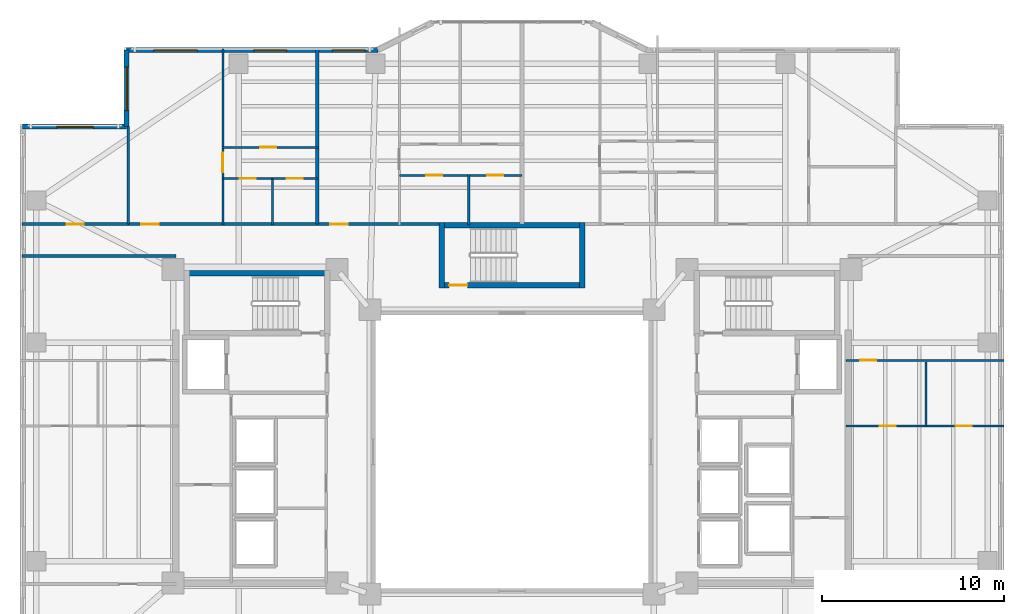
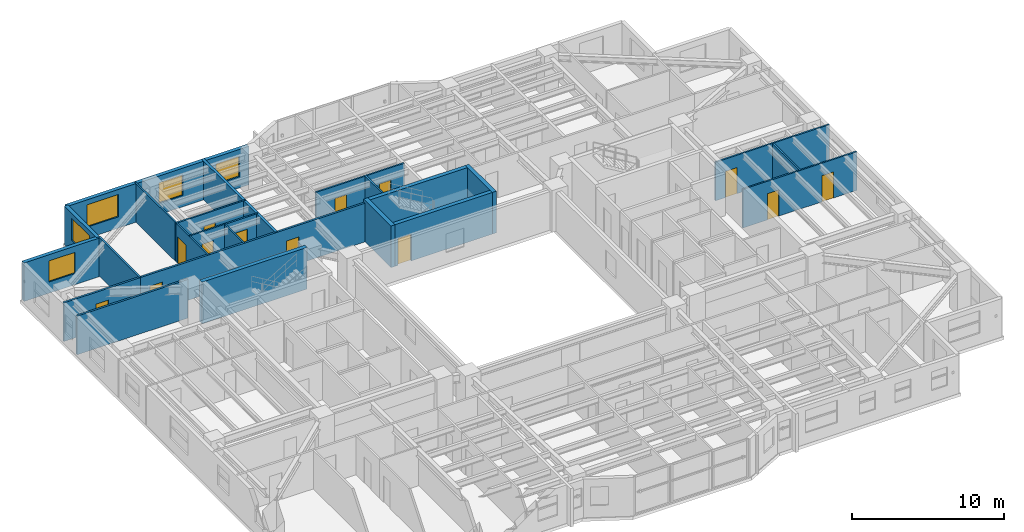
# One storey, part 10 of 19: 24 walls, 13 doors, 5 windows, 18 openings.
"""IFC4 building model written with IfcOpenShell, lengths in metres."""

from ifc_helpers import new_model, si_unit, direction, frame, frame_2d, origin, place, context, subcontext, project, spatial, rectangle, extrude, material, layer, layer_set, type_object, element, fill, save


model = new_model("IFC4")

# Units and contexts
model_context = context("Model", 3, precision=1e-05, world=origin(), true_north=direction((0.0, 1.0)))
body_context = subcontext(model_context, "Body", "Model", "MODEL_VIEW")
ifc_project = project(units=[si_unit("LENGTHUNIT", "METRE"), si_unit("AREAUNIT", "SQUARE_METRE"), si_unit("VOLUMEUNIT", "CUBIC_METRE"), si_unit("PLANEANGLEUNIT", "RADIAN"), si_unit("MASSUNIT", "GRAM", prefix="KILO")], contexts=[model_context])

# Site, building, storey
site_placement = place(None, origin())
site = spatial("IfcSite", under=ifc_project, at=site_placement, CompositionType="ELEMENT")
building_placement = place(site_placement, origin())
building = spatial("IfcBuilding", under=site, at=building_placement, Name="Tarnavaz Court Tower", CompositionType="ELEMENT")
storey_placement = place(building_placement, frame((0.0, 0.0, 81.64990234375)))
storey = spatial("IfcBuildingStorey", under=building, at=storey_placement, Name="L21", CompositionType="ELEMENT", Elevation=81.64990234375)

# Walls
ifc_material_1 = material(Name="Concrete C60/75", Category="concrete")
ifc_layer_1 = layer(ifc_material_1, 0.300048828125)
ifc_layer_set_1 = layer_set([ifc_layer_1], Name="Concrete C60/75")
wall_type_1 = type_object("IfcWallType", Name="WL-CORE-300-C60", PredefinedType="SHEAR", material=ifc_layer_set_1)
for number, where, z_axis, x_axis, name in (
    (1, (-18.0, 9.7900390625, 0.0), (0.0, 0.0, 1.0), (1.0, 0.0, 0.0), "L21 West Stair Core Wall 001"),
    (2, (-4.0, 12.43994140625, 0.0), (0.0, 0.0, 1.0), (1.0, 0.0, 0.0), "L21 North Stair Core Wall 009"),
):
    element("IfcWall", number, at=place(storey_placement, frame(where, z_axis=z_axis, x_axis=x_axis)), inside=storey, type_object=wall_type_1, Name=name, PredefinedType="SHEAR", context=body_context, shape_type="SweptSolid", body=[
        extrude(rectangle(XDim=8.0, YDim=0.300048828125, at=frame_2d((4.0, 0.0))), origin(), (0.0, 0.0, 1.0), 3.35009765625),
    ])

# Wall, opening, door
wall_1_placement = place(storey_placement, frame((-4.0, 9.14990234375, 0.0), z_axis=(0.0, 0.0, 1.0), x_axis=(1.0, 0.0, 0.0)))
wall_1 = element("IfcWall", 3, at=wall_1_placement, inside=storey, type_object=wall_type_1, Name="L21 North Stair Core Wall 010", PredefinedType="SHEAR", context=body_context, shape_type="SweptSolid", body=[
    extrude(rectangle(XDim=8.0, YDim=0.300048828125, at=frame_2d((4.0, 0.0))), origin(), (0.0, 0.0, 1.0), 3.35009765625),
])
opening_1_placement = place(wall_1_placement, frame((0.550048828125, 0.0, 0.0)))
opening_1 = element("IfcOpeningElement", 4, at=opening_1_placement, cuts=wall_1, Name="Opening D01", PredefinedType="OPENING", context=body_context, shape_type="SweptSolid", body=[
    extrude(rectangle(XDim=1.0, YDim=2.14990234375, at=frame_2d((0.5, 1.074951171875))), frame((0.0, 0.159912109375, 0.0), z_axis=(0.0, -1.0, 0.0), x_axis=(1.0, 0.0, 0.0)), (0.0, 0.0, 1.0), 0.320068359375),
])
ifc_material_2 = material(Name="Fire-Rated Hardwood Timber Core", Category="wood")
door_type_1 = type_object("IfcDoorType", Name="DR-FD90-1000", OperationType="NOTDEFINED", PredefinedType="DOOR", material=ifc_material_2)
door_1_placement = place(opening_1_placement, origin())
door_1 = element("IfcDoor", 5, at=door_1_placement, inside=storey, type_object=door_type_1, Name="L21 Stair ST-N1 Exit Door", OperationType="SINGLE_SWING_LEFT", OverallHeight=2.14990234375, OverallWidth=1.0, PredefinedType="DOOR", context=body_context, shape_type="SweptSolid", body=[
    extrude(rectangle(XDim=1.0, YDim=2.14990234375, at=frame_2d((0.5, 1.074951171875))), frame((0.0, 0.02490234375, 0.0), z_axis=(0.0, -1.0, 0.0), x_axis=(1.0, 0.0, 0.0)), (0.0, 0.0, 1.0), 0.050048828125),
])
fill(opening_1, door_1)

# Walls
for number, where, z_axis, x_axis, name in (
    (6, (-3.85009765625, 9.0, 0.0), (0.0, 0.0, 1.0), (0.0, 1.0, 0.0), "L21 North Stair Core Wall 011"),
    (7, (3.85009765625, 9.0, 0.0), (0.0, 0.0, 1.0), (0.0, 1.0, 0.0), "L21 North Stair Core Wall 012"),
):
    element("IfcWall", number, at=place(storey_placement, frame(where, z_axis=z_axis, x_axis=x_axis)), inside=storey, type_object=wall_type_1, Name=name, PredefinedType="SHEAR", context=body_context, shape_type="SweptSolid", body=[
        extrude(rectangle(XDim=3.590087890625, YDim=0.300048828125, at=frame_2d((1.794921875, 0.0))), origin(), (0.0, 0.0, 1.0), 3.35009765625),
    ])

# Wall, opening, window
ifc_material_3 = material(Name="Precast Concrete C40/50", Category="concrete")
ifc_layer_2 = layer(ifc_material_3, 0.280029296875)
ifc_layer_set_2 = layer_set([ifc_layer_2], Name="Precast Concrete C40/50")
wall_type_2 = type_object("IfcWallType", Name="WL-EXT-280", PredefinedType="SOLIDWALL", material=ifc_layer_set_2)
wall_2_placement = place(storey_placement, frame((-26.85009765625, 17.85009765625, 0.0), z_axis=(0.0, 0.0, 1.0), x_axis=(1.0, 0.0, 0.0)))
wall_2 = element("IfcWall", 8, at=wall_2_placement, inside=storey, type_object=wall_type_2, Name="L21 Exterior Terracotta Facade Wall 03", PredefinedType="SOLIDWALL", context=body_context, shape_type="SweptSolid", body=[
    extrude(rectangle(XDim=5.7001953125, YDim=0.280029296875, at=frame_2d((2.85009765625, 0.0))), origin(), (0.0, 0.0, 1.0), 3.10009765625),
])
opening_2_placement = place(wall_2_placement, frame((1.875, 0.0, 0.89990234375)))
opening_2 = element("IfcOpeningElement", 9, at=opening_2_placement, cuts=wall_2, Name="Opening W08", PredefinedType="OPENING", context=body_context, shape_type="SweptSolid", body=[
    extrude(rectangle(XDim=2.0, YDim=1.699951171875, at=frame_2d((1.0, 0.85009765625))), frame((0.0, 0.14990234375, 0.0), z_axis=(0.0, -1.0, 0.0), x_axis=(1.0, 0.0, 0.0)), (0.0, 0.0, 1.0), 0.300048828125),
])
ifc_material_4 = material(Name="Double-Glazed Solar Low-E Glass", Category="glass")
window_type_1 = type_object("IfcWindowType", Name="WN-APT-2000", PartitioningType="DOUBLE_PANEL_VERTICAL", PredefinedType="WINDOW", material=ifc_material_4)
window_1_placement = place(opening_2_placement, origin())
window_1 = element("IfcWindow", 10, at=window_1_placement, inside=storey, type_object=window_type_1, Name="L21 North-West Corner Sunroom Study Window", OverallHeight=1.699951171875, OverallWidth=2.0, PartitioningType="SINGLE_PANEL", PredefinedType="WINDOW", context=body_context, shape_type="SweptSolid", body=[
    extrude(rectangle(XDim=2.0, YDim=1.699951171875, at=frame_2d((1.0, 0.85009765625))), frame((0.0, 0.030029296875, 0.0), z_axis=(0.0, -1.0, 0.0), x_axis=(1.0, 0.0, 0.0)), (0.0, 0.0, 1.0), 0.06005859375),
])
fill(opening_2, window_1)

wall_3_placement = place(storey_placement, frame((-21.14990234375, 17.85009765625, 0.0), z_axis=(0.0, 0.0, 1.0), x_axis=(0.0, 1.0, 0.0)))
wall_3 = element("IfcWall", 11, at=wall_3_placement, inside=storey, type_object=wall_type_2, Name="L21 Exterior Terracotta Facade Wall 04", PredefinedType="SOLIDWALL", context=body_context, shape_type="SweptSolid", body=[
    extrude(rectangle(XDim=4.199951171875, YDim=0.280029296875, at=frame_2d((2.10009765625, 0.0))), origin(), (0.0, 0.0, 1.0), 3.10009765625),
])
opening_3_placement = place(wall_3_placement, frame((0.882080078125, 0.0, 0.89990234375)))
opening_3 = element("IfcOpeningElement", 12, at=opening_3_placement, cuts=wall_3, Name="Opening W06", PredefinedType="OPENING", context=body_context, shape_type="SweptSolid", body=[
    extrude(rectangle(XDim=2.39990234375, YDim=1.800048828125, at=frame_2d((1.199951171875, 0.89990234375))), frame((0.0, 0.14990234375, 0.0), z_axis=(0.0, -1.0, 0.0), x_axis=(1.0, 0.0, 0.0)), (0.0, 0.0, 1.0), 0.300048828125),
])
window_type_2 = type_object("IfcWindowType", Name="WN-APT-2400", PartitioningType="TRIPLE_PANEL_VERTICAL", PredefinedType="WINDOW", material=ifc_material_4)
window_2_placement = place(opening_3_placement, origin())
window_2 = element("IfcWindow", 13, at=window_2_placement, inside=storey, type_object=window_type_2, Name="L21 Flat 01 Living and Dining Room Window", OverallHeight=1.800048828125, OverallWidth=2.39990234375, PartitioningType="SINGLE_PANEL", PredefinedType="WINDOW", context=body_context, shape_type="SweptSolid", body=[
    extrude(rectangle(XDim=2.39990234375, YDim=1.800048828125, at=frame_2d((1.199951171875, 0.89990234375))), frame((0.0, 0.030029296875, 0.0), z_axis=(0.0, -1.0, 0.0), x_axis=(1.0, 0.0, 0.0)), (0.0, 0.0, 1.0), 0.06005859375),
])
fill(opening_3, window_2)

# Wall, openings, windows
wall_4_placement = place(storey_placement, frame((-21.14990234375, 22.050048828125, 0.0), z_axis=(0.0, 0.0, 1.0), x_axis=(1.0, 0.0, 0.0)))
wall_4 = element("IfcWall", 14, at=wall_4_placement, inside=storey, type_object=wall_type_2, Name="L21 Exterior Terracotta Facade Wall 05", PredefinedType="SOLIDWALL", context=body_context, shape_type="SweptSolid", body=[
    extrude(rectangle(XDim=13.7998046875, YDim=0.280029296875, at=frame_2d((6.89990234375, 0.0))), origin(), (0.0, 0.0, 1.0), 3.10009765625),
])
opening_4_placement = place(wall_4_placement, frame((1.484619140625, 0.0, 0.89990234375)))
opening_4 = element("IfcOpeningElement", 15, at=opening_4_placement, cuts=wall_4, Name="Opening W06", PredefinedType="OPENING", context=body_context, shape_type="SweptSolid", body=[
    extrude(rectangle(XDim=2.39990234375, YDim=1.800048828125, at=frame_2d((1.199951171875, 0.89990234375))), frame((0.0, 0.14990234375, 0.0), z_axis=(0.0, -1.0, 0.0), x_axis=(1.0, 0.0, 0.0)), (0.0, 0.0, 1.0), 0.300048828125),
])
opening_5_placement = place(wall_4_placement, frame((6.978515625, 0.0, 0.89990234375)))
opening_5 = element("IfcOpeningElement", 16, at=opening_5_placement, cuts=wall_4, Name="Opening W01", PredefinedType="OPENING", context=body_context, shape_type="SweptSolid", body=[
    extrude(rectangle(XDim=1.800048828125, YDim=1.64990234375, at=frame_2d((0.89990234375, 0.824951171875))), frame((0.0, 0.14990234375, 0.0), z_axis=(0.0, -1.0, 0.0), x_axis=(1.0, 0.0, 0.0)), (0.0, 0.0, 1.0), 0.300048828125),
])
opening_6_placement = place(wall_4_placement, frame((11.294189453125, 0.0, 0.89990234375)))
opening_6 = element("IfcOpeningElement", 17, at=opening_6_placement, cuts=wall_4, Name="Opening W01", PredefinedType="OPENING", context=body_context, shape_type="SweptSolid", body=[
    extrude(rectangle(XDim=1.800048828125, YDim=1.64990234375, at=frame_2d((0.89990234375, 0.824951171875))), frame((0.0, 0.14990234375, 0.0), z_axis=(0.0, -1.0, 0.0), x_axis=(1.0, 0.0, 0.0)), (0.0, 0.0, 1.0), 0.300048828125),
])
window_type_3 = type_object("IfcWindowType", Name="WN-APT-1800", PartitioningType="DOUBLE_PANEL_VERTICAL", PredefinedType="WINDOW", material=ifc_material_4)
window_3_placement = place(opening_5_placement, origin())
window_3 = element("IfcWindow", 18, at=window_3_placement, inside=storey, type_object=window_type_3, Name="L21 Flat 01 Bedroom 1 Window", OverallHeight=1.64990234375, OverallWidth=1.800048828125, PartitioningType="SINGLE_PANEL", PredefinedType="WINDOW", context=body_context, shape_type="SweptSolid", body=[
    extrude(rectangle(XDim=1.800048828125, YDim=1.64990234375, at=frame_2d((0.89990234375, 0.824951171875))), frame((0.0, 0.030029296875, 0.0), z_axis=(0.0, -1.0, 0.0), x_axis=(1.0, 0.0, 0.0)), (0.0, 0.0, 1.0), 0.06005859375),
])
fill(opening_5, window_3)
window_4_placement = place(opening_6_placement, origin())
window_4 = element("IfcWindow", 19, at=window_4_placement, inside=storey, type_object=window_type_3, Name="L21 Flat 02 Living and Dining Room Window", OverallHeight=1.64990234375, OverallWidth=1.800048828125, PartitioningType="SINGLE_PANEL", PredefinedType="WINDOW", context=body_context, shape_type="SweptSolid", body=[
    extrude(rectangle(XDim=1.800048828125, YDim=1.64990234375, at=frame_2d((0.89990234375, 0.824951171875))), frame((0.0, 0.030029296875, 0.0), z_axis=(0.0, -1.0, 0.0), x_axis=(1.0, 0.0, 0.0)), (0.0, 0.0, 1.0), 0.06005859375),
])
fill(opening_6, window_4)
window_5_placement = place(opening_4_placement, origin())
window_5 = element("IfcWindow", 20, at=window_5_placement, inside=storey, type_object=window_type_2, Name="L21 Flat 01 Living and Dining Room Window", OverallHeight=1.800048828125, OverallWidth=2.39990234375, PartitioningType="SINGLE_PANEL", PredefinedType="WINDOW", context=body_context, shape_type="SweptSolid", body=[
    extrude(rectangle(XDim=2.39990234375, YDim=1.800048828125, at=frame_2d((1.199951171875, 0.89990234375))), frame((0.0, 0.030029296875, 0.0), z_axis=(0.0, -1.0, 0.0), x_axis=(1.0, 0.0, 0.0)), (0.0, 0.0, 1.0), 0.06005859375),
])
fill(opening_4, window_5)

# Wall, openings, doors
ifc_material_5 = material(Name="Gypsum Fire-Board on Acoustic Metal Stud", Category="masonry")
ifc_layer_3 = layer(ifc_material_5, 0.14990234375)
ifc_layer_set_3 = layer_set([ifc_layer_3], Name="Gypsum Fire-Board on Acoustic Metal Stud")
wall_type_3 = type_object("IfcWallType", Name="WL-FIRE-150", PredefinedType="PARTITIONING", material=ifc_layer_set_3)
wall_5_placement = place(storey_placement, frame((-21.050048828125, 12.5, 0.0), z_axis=(0.0, 0.0, 1.0), x_axis=(1.0, 0.0, 0.0)))
wall_5 = element("IfcWall", 21, at=wall_5_placement, inside=storey, type_object=wall_type_3, Name="L21 NW Wing Corridor Wall 071", PredefinedType="PARTITIONING", context=body_context, shape_type="SweptSolid", body=[
    extrude(rectangle(XDim=17.199951171875, YDim=0.14990234375, at=frame_2d((8.60009765625, 0.0))), origin(), (0.0, 0.0, 1.0), 3.10009765625),
])
opening_7_placement = place(wall_5_placement, frame((0.699951171875, 0.0, 0.0)))
opening_7 = element("IfcOpeningElement", 22, at=opening_7_placement, cuts=wall_5, Name="Opening D06", PredefinedType="OPENING", context=body_context, shape_type="SweptSolid", body=[
    extrude(rectangle(XDim=0.9599609375, YDim=2.14990234375, at=frame_2d((0.47998046875, 1.074951171875))), frame((0.0, 0.0849609375, 0.0), z_axis=(0.0, -1.0, 0.0), x_axis=(1.0, 0.0, 0.0)), (0.0, 0.0, 1.0), 0.169921875),
])
opening_8_placement = place(wall_5_placement, frame((11.068115234375, 0.0, 0.0)))
opening_8 = element("IfcOpeningElement", 23, at=opening_8_placement, cuts=wall_5, Name="Opening D06", PredefinedType="OPENING", context=body_context, shape_type="SweptSolid", body=[
    extrude(rectangle(XDim=0.9599609375, YDim=2.14990234375, at=frame_2d((0.47998046875, 1.074951171875))), frame((0.0, 0.0849609375, 0.0), z_axis=(0.0, -1.0, 0.0), x_axis=(1.0, 0.0, 0.0)), (0.0, 0.0, 1.0), 0.169921875),
])
door_type_2 = type_object("IfcDoorType", Name="DR-FD60-950", OperationType="NOTDEFINED", PredefinedType="DOOR", material=ifc_material_2)
door_2_placement = place(opening_7_placement, origin())
door_2 = element("IfcDoor", 24, at=door_2_placement, inside=storey, type_object=door_type_2, Name="L21 Flat 01 Entrance Door", OperationType="SINGLE_SWING_LEFT", OverallHeight=2.14990234375, OverallWidth=0.9599609375, PredefinedType="DOOR", context=body_context, shape_type="SweptSolid", body=[
    extrude(rectangle(XDim=0.9599609375, YDim=2.14990234375, at=frame_2d((0.47998046875, 1.074951171875))), frame((0.0, 0.02490234375, 0.0), z_axis=(0.0, -1.0, 0.0), x_axis=(1.0, 0.0, 0.0)), (0.0, 0.0, 1.0), 0.050048828125),
])
fill(opening_7, door_2)
door_3_placement = place(opening_8_placement, origin())
door_3 = element("IfcDoor", 25, at=door_3_placement, inside=storey, type_object=door_type_2, Name="L21 Flat 02 Entrance Door", OperationType="SINGLE_SWING_RIGHT", OverallHeight=2.14990234375, OverallWidth=0.9599609375, PredefinedType="DOOR", context=body_context, shape_type="SweptSolid", body=[
    extrude(rectangle(XDim=0.9599609375, YDim=2.14990234375, at=frame_2d((0.47998046875, 1.074951171875))), frame((0.0, 0.02490234375, 0.0), z_axis=(0.0, -1.0, 0.0), x_axis=(1.0, 0.0, 0.0)), (0.0, 0.0, 1.0), 0.050048828125),
])
fill(opening_8, door_3)

# Wall
wall_6_placement = place(storey_placement, frame((-26.8798828125, 10.75, 0.0), z_axis=(0.0, 0.0, 1.0), x_axis=(1.0, 0.0, 0.0)))
element("IfcWall", 26, at=wall_6_placement, inside=storey, type_object=wall_type_3, Name="L21 Interior Partition 123", PredefinedType="PARTITIONING", context=body_context, shape_type="SweptSolid", body=[
    extrude(rectangle(XDim=8.429931640625, YDim=0.14990234375, at=frame_2d((4.21484375, 0.0))), origin(), (0.0, 0.0, 1.0), 3.10009765625),
])

# Wall, opening, door
wall_7_placement = place(storey_placement, frame((-26.8798828125, 12.5, 0.0), z_axis=(0.0, 0.0, 1.0), x_axis=(1.0, 0.0, 0.0)))
wall_7 = element("IfcWall", 27, at=wall_7_placement, inside=storey, type_object=wall_type_3, Name="L21 Interior Partition 130", PredefinedType="PARTITIONING", context=body_context, shape_type="SweptSolid", body=[
    extrude(rectangle(XDim=5.829833984375, YDim=0.14990234375, at=frame_2d((2.9150390625, 0.0))), origin(), (0.0, 0.0, 1.0), 3.10009765625),
])
opening_9_placement = place(wall_7_placement, frame((2.43994140625, 0.0, 0.0)))
opening_9 = element("IfcOpeningElement", 28, at=opening_9_placement, cuts=wall_7, Name="Opening D13", PredefinedType="OPENING", context=body_context, shape_type="SweptSolid", body=[
    extrude(rectangle(XDim=0.949951171875, YDim=2.14990234375, at=frame_2d((0.47509765625, 1.074951171875))), frame((0.0, 0.0849609375, 0.0), z_axis=(0.0, -1.0, 0.0), x_axis=(1.0, 0.0, 0.0)), (0.0, 0.0, 1.0), 0.169921875),
])
ifc_material_6 = material(Name="Engineered Oak Timber", Category="wood")
door_type_3 = type_object("IfcDoorType", Name="DR-INT-950", OperationType="NOTDEFINED", PredefinedType="DOOR", material=ifc_material_6)
door_4_placement = place(opening_9_placement, origin())
door_4 = element("IfcDoor", 29, at=door_4_placement, inside=storey, type_object=door_type_3, Name="L21 NW Sunroom Door", OperationType="SINGLE_SWING_LEFT", OverallHeight=2.14990234375, OverallWidth=0.949951171875, PredefinedType="DOOR", context=body_context, shape_type="SweptSolid", body=[
    extrude(rectangle(XDim=0.949951171875, YDim=2.14990234375, at=frame_2d((0.47509765625, 1.074951171875))), frame((0.0, 0.02490234375, 0.0), z_axis=(0.0, -1.0, 0.0), x_axis=(1.0, 0.0, 0.0)), (0.0, 0.0, 1.0), 0.050048828125),
])
fill(opening_9, door_4)

# Wall
ifc_material_7 = material(Name="Autoclaved Aerated Concrete Blockwork", Category="masonry")
ifc_layer_4 = layer(ifc_material_7, 0.199951171875)
ifc_layer_set_4 = layer_set([ifc_layer_4], Name="Autoclaved Aerated Concrete Blockwork")
wall_type_4 = type_object("IfcWallType", Name="WL-FIRE-200", PredefinedType="SOLIDWALL", material=ifc_layer_set_4)
wall_8_placement = place(storey_placement, frame((-10.681884765625, 12.5, 0.0), z_axis=(0.0, 0.0, 1.0), x_axis=(0.0, 1.0, 0.0)))
element("IfcWall", 30, at=wall_8_placement, inside=storey, type_object=wall_type_4, Name="L21 Party Wall 076", PredefinedType="SOLIDWALL", context=body_context, shape_type="SweptSolid", body=[
    extrude(rectangle(XDim=9.677978515625, YDim=0.199951171875, at=frame_2d((4.8388671875, 0.0))), origin(), (0.0, 0.0, 1.0), 3.10009765625),
])

# Wall, opening, door
ifc_material_8 = material(Name="Moisture-Resistant Gypsum Board Partition", Category="masonry")
ifc_layer_5 = layer(ifc_material_8, 0.1201171875)
ifc_layer_set_5 = layer_set([ifc_layer_5], Name="Moisture-Resistant Gypsum Board Partition")
wall_type_5 = type_object("IfcWallType", Name="WL-PART-120", PredefinedType="PARTITIONING", material=ifc_layer_set_5)
wall_9_placement = place(storey_placement, frame((-15.865966796875, 12.43994140625, 0.0), z_axis=(0.0, 0.0, 1.0), x_axis=(0.0, 1.0, 0.0)))
wall_9 = element("IfcWall", 31, at=wall_9_placement, inside=storey, type_object=wall_type_5, Name="L21 Interior Partition 077", PredefinedType="PARTITIONING", context=body_context, shape_type="SweptSolid", body=[
    extrude(rectangle(XDim=9.66015625, YDim=0.1201171875, at=frame_2d((4.830078125, 0.0))), origin(), (0.0, 0.0, 1.0), 3.10009765625),
])
opening_10_placement = place(wall_9_placement, frame((2.905029296875, 0.0, 0.0)))
opening_10 = element("IfcOpeningElement", 32, at=opening_10_placement, cuts=wall_9, Name="Opening D12", PredefinedType="OPENING", context=body_context, shape_type="SweptSolid", body=[
    extrude(rectangle(XDim=1.080078125, YDim=2.14990234375, at=frame_2d((0.5400390625, 1.074951171875))), frame((0.0, 0.070068359375, 0.0), z_axis=(0.0, -1.0, 0.0), x_axis=(1.0, 0.0, 0.0)), (0.0, 0.0, 1.0), 0.14013671875),
])
door_type_4 = type_object("IfcDoorType", Name="DR-INT-1100", OperationType="NOTDEFINED", PredefinedType="DOOR", material=ifc_material_6)
door_5_placement = place(opening_10_placement, origin())
door_5 = element("IfcDoor", 33, at=door_5_placement, inside=storey, type_object=door_type_4, Name="L21 Flat 01 Foyer Door", OperationType="SINGLE_SWING_RIGHT", OverallHeight=2.14990234375, OverallWidth=1.080078125, PredefinedType="DOOR", context=body_context, shape_type="SweptSolid", body=[
    extrude(rectangle(XDim=1.080078125, YDim=2.14990234375, at=frame_2d((0.5400390625, 1.074951171875))), frame((0.0, 0.02490234375, 0.0), z_axis=(0.0, -1.0, 0.0), x_axis=(1.0, 0.0, 0.0)), (0.0, 0.0, 1.0), 0.050048828125),
])
fill(opening_10, door_5)

wall_10_placement = place(storey_placement, frame((-15.865966796875, 15.0, 0.0), z_axis=(0.0, 0.0, 1.0), x_axis=(1.0, 0.0, 0.0)))
wall_10 = element("IfcWall", 34, at=wall_10_placement, inside=storey, type_object=wall_type_5, Name="L21 Interior Partition 078", PredefinedType="PARTITIONING", context=body_context, shape_type="SweptSolid", body=[
    extrude(rectangle(XDim=2.716064453125, YDim=0.1201171875, at=frame_2d((1.35791015625, 0.0))), origin(), (0.0, 0.0, 1.0), 3.10009765625),
])
opening_11_placement = place(wall_10_placement, frame((0.91796875, 0.0, 0.0)))
opening_11 = element("IfcOpeningElement", 35, at=opening_11_placement, cuts=wall_10, Name="Opening D14", PredefinedType="OPENING", context=body_context, shape_type="SweptSolid", body=[
    extrude(rectangle(XDim=0.8798828125, YDim=2.10009765625, at=frame_2d((0.43994140625, 1.050048828125))), frame((0.0, 0.070068359375, 0.0), z_axis=(0.0, -1.0, 0.0), x_axis=(1.0, 0.0, 0.0)), (0.0, 0.0, 1.0), 0.14013671875),
])
door_type_5 = type_object("IfcDoorType", Name="DR-INT-900", OperationType="NOTDEFINED", PredefinedType="DOOR", material=ifc_material_6)
door_6_placement = place(opening_11_placement, origin())
door_6 = element("IfcDoor", 36, at=door_6_placement, inside=storey, type_object=door_type_5, Name="L21 Flat 01 Kitchen Door", OperationType="SINGLE_SWING_LEFT", OverallHeight=2.10009765625, OverallWidth=0.8798828125, PredefinedType="DOOR", context=body_context, shape_type="SweptSolid", body=[
    extrude(rectangle(XDim=0.8798828125, YDim=2.10009765625, at=frame_2d((0.43994140625, 1.050048828125))), frame((0.0, 0.02490234375, 0.0), z_axis=(0.0, -1.0, 0.0), x_axis=(1.0, 0.0, 0.0)), (0.0, 0.0, 1.0), 0.050048828125),
])
fill(opening_11, door_6)

wall_11_placement = place(storey_placement, frame((-13.14990234375, 15.0, 0.0), z_axis=(0.0, 0.0, 1.0), x_axis=(1.0, 0.0, 0.0)))
wall_11 = element("IfcWall", 37, at=wall_11_placement, inside=storey, type_object=wall_type_5, Name="L21 Interior Partition 079", PredefinedType="PARTITIONING", context=body_context, shape_type="SweptSolid", body=[
    extrude(rectangle(XDim=2.468017578125, YDim=0.1201171875, at=frame_2d((1.23388671875, 0.0))), origin(), (0.0, 0.0, 1.0), 3.10009765625),
])
opening_12_placement = place(wall_11_placement, frame((0.7939453125, 0.0, 0.0)))
opening_12 = element("IfcOpeningElement", 38, at=opening_12_placement, cuts=wall_11, Name="Opening D14", PredefinedType="OPENING", context=body_context, shape_type="SweptSolid", body=[
    extrude(rectangle(XDim=0.8798828125, YDim=2.10009765625, at=frame_2d((0.43994140625, 1.050048828125))), frame((0.0, 0.070068359375, 0.0), z_axis=(0.0, -1.0, 0.0), x_axis=(1.0, 0.0, 0.0)), (0.0, 0.0, 1.0), 0.14013671875),
])
door_7_placement = place(opening_12_placement, origin())
door_7 = element("IfcDoor", 39, at=door_7_placement, inside=storey, type_object=door_type_5, Name="L21 Flat 01 Bathroom Door", OperationType="SINGLE_SWING_RIGHT", OverallHeight=2.10009765625, OverallWidth=0.8798828125, PredefinedType="DOOR", context=body_context, shape_type="SweptSolid", body=[
    extrude(rectangle(XDim=0.8798828125, YDim=2.10009765625, at=frame_2d((0.43994140625, 1.050048828125))), frame((0.0, 0.02490234375, 0.0), z_axis=(0.0, -1.0, 0.0), x_axis=(1.0, 0.0, 0.0)), (0.0, 0.0, 1.0), 0.050048828125),
])
fill(opening_12, door_7)

wall_12_placement = place(storey_placement, frame((-15.926025390625, 16.7099609375, 0.0), z_axis=(0.0, 0.0, 1.0), x_axis=(1.0, 0.0, 0.0)))
wall_12 = element("IfcWall", 40, at=wall_12_placement, inside=storey, type_object=wall_type_5, Name="L21 Interior Partition 080", PredefinedType="PARTITIONING", context=body_context, shape_type="SweptSolid", body=[
    extrude(rectangle(XDim=5.303955078125, YDim=0.1201171875, at=frame_2d((2.65185546875, 0.0))), origin(), (0.0, 0.0, 1.0), 3.10009765625),
])
opening_13_placement = place(wall_12_placement, frame((2.1220703125, 0.0, 0.0)))
opening_13 = element("IfcOpeningElement", 41, at=opening_13_placement, cuts=wall_12, Name="Opening D14", PredefinedType="OPENING", context=body_context, shape_type="SweptSolid", body=[
    extrude(rectangle(XDim=0.8798828125, YDim=2.10009765625, at=frame_2d((0.43994140625, 1.050048828125))), frame((0.0, 0.070068359375, 0.0), z_axis=(0.0, -1.0, 0.0), x_axis=(1.0, 0.0, 0.0)), (0.0, 0.0, 1.0), 0.14013671875),
])
door_8_placement = place(opening_13_placement, origin())
door_8 = element("IfcDoor", 42, at=door_8_placement, inside=storey, type_object=door_type_5, Name="L21 Flat 01 Bedroom 1 Door", OperationType="SINGLE_SWING_LEFT", OverallHeight=2.10009765625, OverallWidth=0.8798828125, PredefinedType="DOOR", context=body_context, shape_type="SweptSolid", body=[
    extrude(rectangle(XDim=0.8798828125, YDim=2.10009765625, at=frame_2d((0.43994140625, 1.050048828125))), frame((0.0, 0.02490234375, 0.0), z_axis=(0.0, -1.0, 0.0), x_axis=(1.0, 0.0, 0.0)), (0.0, 0.0, 1.0), 0.050048828125),
])
fill(opening_13, door_8)

# Wall
wall_13_placement = place(storey_placement, frame((-13.14990234375, 12.43994140625, 0.0), z_axis=(0.0, 0.0, 1.0), x_axis=(0.0, 1.0, 0.0)))
element("IfcWall", 43, at=wall_13_placement, inside=storey, type_object=wall_type_5, Name="L21 Interior Partition 081", PredefinedType="PARTITIONING", context=body_context, shape_type="SweptSolid", body=[
    extrude(rectangle(XDim=2.6201171875, YDim=0.1201171875, at=frame_2d((1.31005859375, 0.0))), origin(), (0.0, 0.0, 1.0), 3.10009765625),
])

# Wall, opening, door
wall_14_placement = place(storey_placement, frame((-6.177001953125, 15.169921875, 0.0), z_axis=(0.0, 0.0, 1.0), x_axis=(1.0, 0.0, 0.0)))
wall_14 = element("IfcWall", 44, at=wall_14_placement, inside=storey, type_object=wall_type_5, Name="L21 Interior Partition 083", PredefinedType="PARTITIONING", context=body_context, shape_type="SweptSolid", body=[
    extrude(rectangle(XDim=3.800048828125, YDim=0.1201171875, at=frame_2d((1.89990234375, 0.0))), origin(), (0.0, 0.0, 1.0), 3.10009765625),
])
opening_14_placement = place(wall_14_placement, frame((1.4599609375, 0.0, 0.0)))
opening_14 = element("IfcOpeningElement", 45, at=opening_14_placement, cuts=wall_14, Name="Opening D14", PredefinedType="OPENING", context=body_context, shape_type="SweptSolid", body=[
    extrude(rectangle(XDim=0.8798828125, YDim=2.10009765625, at=frame_2d((0.43994140625, 1.050048828125))), frame((0.0, 0.070068359375, 0.0), z_axis=(0.0, -1.0, 0.0), x_axis=(1.0, 0.0, 0.0)), (0.0, 0.0, 1.0), 0.14013671875),
])
door_9_placement = place(opening_14_placement, origin())
door_9 = element("IfcDoor", 46, at=door_9_placement, inside=storey, type_object=door_type_5, Name="L21 Flat 02 Kitchen Door", OperationType="SINGLE_SWING_RIGHT", OverallHeight=2.10009765625, OverallWidth=0.8798828125, PredefinedType="DOOR", context=body_context, shape_type="SweptSolid", body=[
    extrude(rectangle(XDim=0.8798828125, YDim=2.10009765625, at=frame_2d((0.43994140625, 1.050048828125))), frame((0.0, 0.02490234375, 0.0), z_axis=(0.0, -1.0, 0.0), x_axis=(1.0, 0.0, 0.0)), (0.0, 0.0, 1.0), 0.050048828125),
])
fill(opening_14, door_9)

wall_15_placement = place(storey_placement, frame((-2.376953125, 15.169921875, 0.0), z_axis=(0.0, 0.0, 1.0), x_axis=(1.0, 0.0, 0.0)))
wall_15 = element("IfcWall", 47, at=wall_15_placement, inside=storey, type_object=wall_type_5, Name="L21 Interior Partition 084", PredefinedType="PARTITIONING", context=body_context, shape_type="SweptSolid", body=[
    extrude(rectangle(XDim=2.927001953125, YDim=0.1201171875, at=frame_2d((1.46337890625, 0.0))), origin(), (0.0, 0.0, 1.0), 3.10009765625),
])
opening_15_placement = place(wall_15_placement, frame((1.02294921875, 0.0, 0.0)))
opening_15 = element("IfcOpeningElement", 48, at=opening_15_placement, cuts=wall_15, Name="Opening D14", PredefinedType="OPENING", context=body_context, shape_type="SweptSolid", body=[
    extrude(rectangle(XDim=0.8798828125, YDim=2.10009765625, at=frame_2d((0.43994140625, 1.050048828125))), frame((0.0, 0.070068359375, 0.0), z_axis=(0.0, -1.0, 0.0), x_axis=(1.0, 0.0, 0.0)), (0.0, 0.0, 1.0), 0.14013671875),
])
door_10_placement = place(opening_15_placement, origin())
door_10 = element("IfcDoor", 49, at=door_10_placement, inside=storey, type_object=door_type_5, Name="L21 Flat 02 Bathroom Door", OperationType="SINGLE_SWING_LEFT", OverallHeight=2.10009765625, OverallWidth=0.8798828125, PredefinedType="DOOR", context=body_context, shape_type="SweptSolid", body=[
    extrude(rectangle(XDim=0.8798828125, YDim=2.10009765625, at=frame_2d((0.43994140625, 1.050048828125))), frame((0.0, 0.02490234375, 0.0), z_axis=(0.0, -1.0, 0.0), x_axis=(1.0, 0.0, 0.0)), (0.0, 0.0, 1.0), 0.050048828125),
])
fill(opening_15, door_10)

# Wall
wall_16_placement = place(storey_placement, frame((-2.376953125, 12.43994140625, 0.0), z_axis=(0.0, 0.0, 1.0), x_axis=(0.0, 1.0, 0.0)))
element("IfcWall", 50, at=wall_16_placement, inside=storey, type_object=wall_type_5, Name="L21 Interior Partition 086", PredefinedType="PARTITIONING", context=body_context, shape_type="SweptSolid", body=[
    extrude(rectangle(XDim=2.7900390625, YDim=0.1201171875, at=frame_2d((1.39501953125, 0.0))), origin(), (0.0, 0.0, 1.0), 3.10009765625),
])

# Wall, openings, doors
wall_17_placement = place(storey_placement, frame((18.330078125, 1.419921875, 0.0), z_axis=(0.0, 0.0, 1.0), x_axis=(1.0, 0.0, 0.0)))
wall_17 = element("IfcWall", 51, at=wall_17_placement, inside=storey, type_object=wall_type_5, Name="L21 Interior Partition 137", PredefinedType="PARTITIONING", context=body_context, shape_type="SweptSolid", body=[
    extrude(rectangle(XDim=8.669921875, YDim=0.1201171875, at=frame_2d((4.3349609375, 0.0))), origin(), (0.0, 0.0, 1.0), 3.10009765625),
])
opening_16_placement = place(wall_17_placement, frame((1.863037109375, 0.0, 0.0)))
opening_16 = element("IfcOpeningElement", 52, at=opening_16_placement, cuts=wall_17, Name="Opening D14", PredefinedType="OPENING", context=body_context, shape_type="SweptSolid", body=[
    extrude(rectangle(XDim=0.8798828125, YDim=2.10009765625, at=frame_2d((0.43994140625, 1.050048828125))), frame((0.0, 0.070068359375, 0.0), z_axis=(0.0, -1.0, 0.0), x_axis=(1.0, 0.0, 0.0)), (0.0, 0.0, 1.0), 0.14013671875),
])
opening_17_placement = place(wall_17_placement, frame((6.028076171875, 0.0, 0.0)))
opening_17 = element("IfcOpeningElement", 53, at=opening_17_placement, cuts=wall_17, Name="Opening D14", PredefinedType="OPENING", context=body_context, shape_type="SweptSolid", body=[
    extrude(rectangle(XDim=0.8798828125, YDim=2.10009765625, at=frame_2d((0.43994140625, 1.050048828125))), frame((0.0, 0.070068359375, 0.0), z_axis=(0.0, -1.0, 0.0), x_axis=(1.0, 0.0, 0.0)), (0.0, 0.0, 1.0), 0.14013671875),
])
door_11_placement = place(opening_16_placement, origin())
door_11 = element("IfcDoor", 54, at=door_11_placement, inside=storey, type_object=door_type_5, Name="L21 Flat 10 Kitchen Door", OperationType="SINGLE_SWING_RIGHT", OverallHeight=2.10009765625, OverallWidth=0.8798828125, PredefinedType="DOOR", context=body_context, shape_type="SweptSolid", body=[
    extrude(rectangle(XDim=0.8798828125, YDim=2.10009765625, at=frame_2d((0.43994140625, 1.050048828125))), frame((0.0, 0.02490234375, 0.0), z_axis=(0.0, -1.0, 0.0), x_axis=(1.0, 0.0, 0.0)), (0.0, 0.0, 1.0), 0.050048828125),
])
fill(opening_16, door_11)
door_12_placement = place(opening_17_placement, origin())
door_12 = element("IfcDoor", 55, at=door_12_placement, inside=storey, type_object=door_type_5, Name="L21 Flat 10 Bathroom Door", OperationType="SINGLE_SWING_LEFT", OverallHeight=2.10009765625, OverallWidth=0.8798828125, PredefinedType="DOOR", context=body_context, shape_type="SweptSolid", body=[
    extrude(rectangle(XDim=0.8798828125, YDim=2.10009765625, at=frame_2d((0.43994140625, 1.050048828125))), frame((0.0, 0.02490234375, 0.0), z_axis=(0.0, -1.0, 0.0), x_axis=(1.0, 0.0, 0.0)), (0.0, 0.0, 1.0), 0.050048828125),
])
fill(opening_17, door_12)

# Wall, opening, door
wall_18_placement = place(storey_placement, frame((18.330078125, 5.02001953125, 0.0), z_axis=(0.0, 0.0, 1.0), x_axis=(1.0, 0.0, 0.0)))
wall_18 = element("IfcWall", 56, at=wall_18_placement, inside=storey, type_object=wall_type_5, Name="L21 Interior Partition 138", PredefinedType="PARTITIONING", context=body_context, shape_type="SweptSolid", body=[
    extrude(rectangle(XDim=8.669921875, YDim=0.1201171875, at=frame_2d((4.3349609375, 0.0))), origin(), (0.0, 0.0, 1.0), 3.10009765625),
])
opening_18_placement = place(wall_18_placement, frame((0.77001953125, 0.0, 0.0)))
opening_18 = element("IfcOpeningElement", 57, at=opening_18_placement, cuts=wall_18, Name="Opening D14", PredefinedType="OPENING", context=body_context, shape_type="SweptSolid", body=[
    extrude(rectangle(XDim=0.8798828125, YDim=2.10009765625, at=frame_2d((0.43994140625, 1.050048828125))), frame((0.0, 0.070068359375, 0.0), z_axis=(0.0, -1.0, 0.0), x_axis=(1.0, 0.0, 0.0)), (0.0, 0.0, 1.0), 0.14013671875),
])
door_13_placement = place(opening_18_placement, origin())
door_13 = element("IfcDoor", 58, at=door_13_placement, inside=storey, type_object=door_type_5, Name="L21 Flat 10 Study Door", OperationType="SINGLE_SWING_RIGHT", OverallHeight=2.10009765625, OverallWidth=0.8798828125, PredefinedType="DOOR", context=body_context, shape_type="SweptSolid", body=[
    extrude(rectangle(XDim=0.8798828125, YDim=2.10009765625, at=frame_2d((0.43994140625, 1.050048828125))), frame((0.0, 0.02490234375, 0.0), z_axis=(0.0, -1.0, 0.0), x_axis=(1.0, 0.0, 0.0)), (0.0, 0.0, 1.0), 0.050048828125),
])
fill(opening_18, door_13)

# Walls
wall_19_placement = place(storey_placement, frame((22.715087890625, 1.360107421875, 0.0), z_axis=(0.0, 0.0, 1.0), x_axis=(0.0, 1.0, 0.0)))
element("IfcWall", 59, at=wall_19_placement, inside=storey, type_object=wall_type_5, Name="L21 Interior Partition 139", PredefinedType="PARTITIONING", context=body_context, shape_type="SweptSolid", body=[
    extrude(rectangle(XDim=3.579833984375, YDim=0.1201171875, at=frame_2d((1.7900390625, 0.0))), origin(), (0.0, 0.0, 1.0), 3.10009765625),
])
ifc_material_9 = material(Name="Gypsum Plasterboard Acoustic Partition", Category="masonry")
ifc_layer_6 = layer(ifc_material_9, 0.139892578125)
ifc_layer_set_6 = layer_set([ifc_layer_6], Name="Gypsum Plasterboard Acoustic Partition")
wall_type_6 = type_object("IfcWallType", Name="WL-PART-150", PredefinedType="PARTITIONING", material=ifc_layer_set_6)
wall_20_placement = place(storey_placement, frame((-21.050048828125, 12.5, 0.0), z_axis=(0.0, 0.0, 1.0), x_axis=(0.0, 1.0, 0.0)))
element("IfcWall", 60, at=wall_20_placement, inside=storey, type_object=wall_type_6, Name="L21 Interior Partition 128", PredefinedType="PARTITIONING", context=body_context, shape_type="SweptSolid", body=[
    extrude(rectangle(XDim=5.35009765625, YDim=0.139892578125, at=frame_2d((2.675048828125, 0.0))), origin(), (0.0, 0.0, 1.0), 3.10009765625),
])

save(model, "model.ifc")
